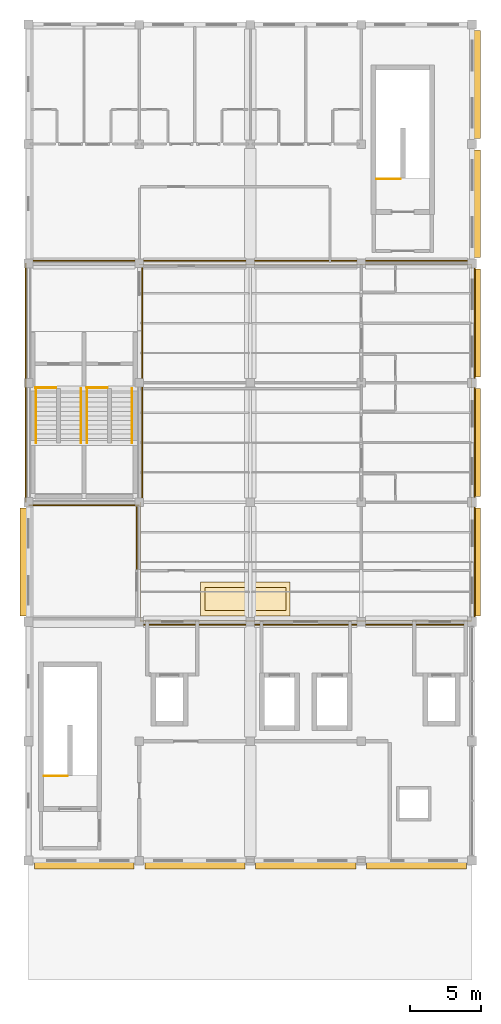
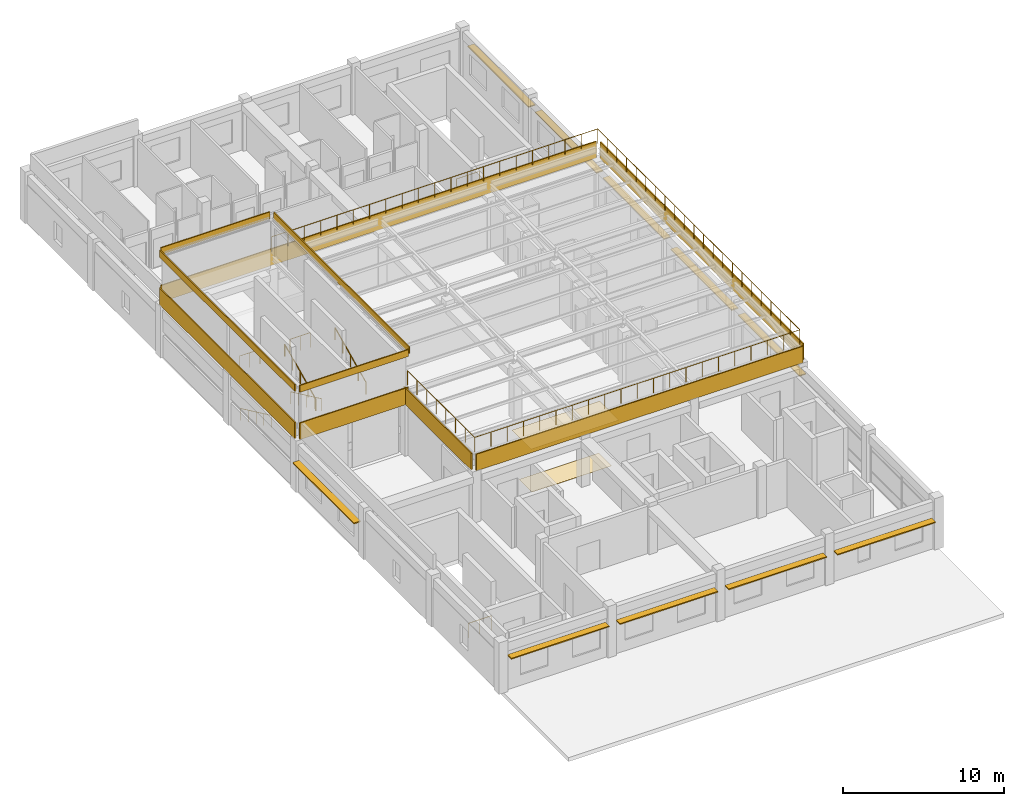
# One storey, part 20 of 20: 20 shading devices, 9 railings, 2 coverings.
"""IFC4 building model written with IfcOpenShell, lengths in metres."""

from ifc_helpers import new_model, si_unit, direction, frame, origin, origin_2d, place, context, subcontext, project, spatial, polyline, rectangle, circle, outline, extrude, material, layer, layer_set, type_object, element, save


model = new_model("IFC4")

# Units and contexts
model_context = context("Model", 3, precision=1e-05, world=origin(), true_north=direction((0.0, 1.0)))
body_context = subcontext(model_context, "Body", "Model", "MODEL_VIEW")
ifc_project = project(units=[si_unit("LENGTHUNIT", "METRE"), si_unit("AREAUNIT", "SQUARE_METRE"), si_unit("VOLUMEUNIT", "CUBIC_METRE"), si_unit("PLANEANGLEUNIT", "RADIAN"), si_unit("MASSUNIT", "GRAM", prefix="KILO"), si_unit("THERMODYNAMICTEMPERATUREUNIT", "KELVIN"), si_unit("POWERUNIT", "WATT")], contexts=[model_context])

# Site, building, storey
site_placement = place(None, origin())
site = spatial("IfcSite", under=ifc_project, at=site_placement, CompositionType="ELEMENT")
building_placement = place(site_placement, origin())
building = spatial("IfcBuilding", under=site, at=building_placement, Name="Srebrne Nadtorze General Hospital", CompositionType="ELEMENT")
storey_placement = place(building_placement, frame((0.0, 0.0, 33.89990234375)))
storey = spatial("IfcBuildingStorey", under=building, at=storey_placement, Name="L08", CompositionType="ELEMENT", Elevation=33.89990234375)

# Covering
ifc_material_1 = material(Name="Medical Vinyl Flooring")
ifc_layer_1 = layer(ifc_material_1, 0.006103515625)
ifc_layer_set_1 = layer_set([ifc_layer_1], Name="Medical Vinyl Flooring")
covering_type_1 = type_object("IfcCoveringType", Name="Antistatic medical vinyl flooring", PredefinedType="FLOORING", material=ifc_layer_set_1)
covering_1_placement = place(storey_placement, origin())
element("IfcCovering", 1, at=covering_1_placement, inside=storey, type_object=covering_type_1, Name="Medical vinyl flooring L08", PredefinedType="FLOORING", context=body_context, shape_type="SweptSolid", body=[
    extrude(outline(polyline([(35.800048828125, 51.199951171875), (41.5, 51.199951171875), (41.5, 52.800048828125), (35.800048828125, 52.800048828125), (35.800048828125, 51.199951171875)])), origin(), (0.0, 0.0, 1.0), 0.006103515625),
])

# Shading devices
ifc_material_2 = material(Name="Anodised Aluminium", Category="aluminium")
ifc_layer_2 = layer(ifc_material_2, 0.080078125)
ifc_layer_set_2 = layer_set([ifc_layer_2], Name="Anodised Aluminium")
shading_device_type = type_object("IfcShadingDeviceType", Name="Hisashi horizontal aluminium sunshade", PredefinedType="JALOUSIE", material=ifc_layer_set_2)
shading_device_1_placement = place(storey_placement, frame((27.3125, 33.239990234375, 2.570068359375), z_axis=(0.0, 0.0, 1.0), x_axis=(1.0, 0.0, 0.0)))
element("IfcShadingDevice", 2, at=shading_device_1_placement, inside=storey, type_object=shading_device_type, Name="Hisashi horizontal sunshade eave LV-425", PredefinedType="JALOUSIE", context=body_context, shape_type="SweptSolid", body=[
    extrude(rectangle(XDim=7.014892578125, YDim=0.47998046875, at=origin_2d()), origin(), (0.0, 0.0, 1.0), 0.080078125),
])
for number, where, z_axis, x_axis, name in (
    (3, (35.10009765625, 33.239990234375, 2.469970703125), (0.0, 0.0, 1.0), (1.0, 0.0, 0.0), "Hisashi horizontal sunshade eave LV-426"),
    (4, (42.89990234375, 33.239990234375, 2.3701171875), (0.0, 0.0, 1.0), (1.0, 0.0, 0.0), "Hisashi horizontal sunshade eave LV-427"),
):
    element("IfcShadingDevice", number, at=place(storey_placement, frame(where, z_axis=z_axis, x_axis=x_axis)), inside=storey, type_object=shading_device_type, Name=name, PredefinedType="JALOUSIE", context=body_context, shape_type="SweptSolid", body=[
        extrude(rectangle(XDim=7.0400390625, YDim=0.47998046875, at=origin_2d()), origin(), (0.0, 0.0, 1.0), 0.080078125),
    ])
shading_device_2_placement = place(storey_placement, frame((50.6875, 33.239990234375, 2.27001953125), z_axis=(0.0, 0.0, 1.0), x_axis=(1.0, 0.0, 0.0)))
element("IfcShadingDevice", 5, at=shading_device_2_placement, inside=storey, type_object=shading_device_type, Name="Hisashi horizontal sunshade eave LV-428", PredefinedType="JALOUSIE", context=body_context, shape_type="SweptSolid", body=[
    extrude(rectangle(XDim=7.014892578125, YDim=0.47998046875, at=origin_2d()), origin(), (0.0, 0.0, 1.0), 0.080078125),
])
for number, where, z_axis, x_axis, name in (
    (6, (23.0400390625, 54.60009765625, 2.3701171875), (0.0, 0.0, 1.0), (1.0, 0.0, 0.0), "Hisashi horizontal sunshade eave LV-429"),
    (7, (54.9599609375, 54.60009765625, 2.3701171875), (0.0, 0.0, 1.0), (1.0, 0.0, 0.0), "Hisashi horizontal sunshade eave LV-430"),
    (8, (54.9599609375, 63.0, 2.27001953125), (0.0, 0.0, 1.0), (1.0, 0.0, 0.0), "Hisashi horizontal sunshade eave LV-431"),
    (9, (54.9599609375, 71.39990234375, 2.570068359375), (0.0, 0.0, 1.0), (1.0, 0.0, 0.0), "Hisashi horizontal sunshade eave LV-432"),
    (10, (54.9599609375, 79.800048828125, 2.469970703125), (0.0, 0.0, 1.0), (1.0, 0.0, 0.0), "Hisashi horizontal sunshade eave LV-433"),
    (11, (54.9599609375, 88.199951171875, 2.3701171875), (0.0, 0.0, 1.0), (1.0, 0.0, 0.0), "Hisashi horizontal sunshade eave LV-434"),
):
    element("IfcShadingDevice", number, at=place(storey_placement, frame(where, z_axis=z_axis, x_axis=x_axis)), inside=storey, type_object=shading_device_type, Name=name, PredefinedType="JALOUSIE", context=body_context, shape_type="SweptSolid", body=[
        extrude(rectangle(XDim=0.47998046875, YDim=7.590087890625, at=origin_2d()), origin(), (0.0, 0.0, 1.0), 0.080078125),
    ])
shading_device_3_placement = place(storey_placement, frame((42.89990234375, 50.199951171875, 3.85009765625), z_axis=(0.0, 0.0, 1.0), x_axis=(1.0, 0.0, 0.0)))
element("IfcShadingDevice", 12, at=shading_device_3_placement, inside=storey, type_object=shading_device_type, Name="Helipad skirt acoustic louvre HS", PredefinedType="JALOUSIE", context=body_context, shape_type="SweptSolid", body=[
    extrude(rectangle(XDim=23.39990234375, YDim=0.080078125, at=origin_2d()), origin(), (0.0, 0.0, 1.0), 1.260009765625),
])
shading_device_4_placement = place(storey_placement, frame((39.0, 75.800048828125, 3.85009765625), z_axis=(0.0, 0.0, 1.0), x_axis=(1.0, 0.0, 0.0)))
element("IfcShadingDevice", 13, at=shading_device_4_placement, inside=storey, type_object=shading_device_type, Name="Helipad skirt acoustic louvre HN", PredefinedType="JALOUSIE", context=body_context, shape_type="SweptSolid", body=[
    extrude(rectangle(XDim=31.199951171875, YDim=0.080078125, at=origin_2d()), origin(), (0.0, 0.0, 1.0), 1.260009765625),
])
shading_device_5_placement = place(storey_placement, frame((54.7900390625, 63.0, 3.85009765625), z_axis=(0.0, 0.0, 1.0), x_axis=(1.0, 0.0, 0.0)))
element("IfcShadingDevice", 14, at=shading_device_5_placement, inside=storey, type_object=shading_device_type, Name="Helipad skirt acoustic louvre HE", PredefinedType="JALOUSIE", context=body_context, shape_type="SweptSolid", body=[
    extrude(rectangle(XDim=0.080078125, YDim=25.199951171875, at=origin_2d()), origin(), (0.0, 0.0, 1.0), 1.260009765625),
])
shading_device_6_placement = place(storey_placement, frame((23.2099609375, 67.199951171875, 3.85009765625), z_axis=(0.0, 0.0, 1.0), x_axis=(1.0, 0.0, 0.0)))
element("IfcShadingDevice", 15, at=shading_device_6_placement, inside=storey, type_object=shading_device_type, Name="Helipad skirt acoustic louvre HW", PredefinedType="JALOUSIE", context=body_context, shape_type="SweptSolid", body=[
    extrude(rectangle(XDim=0.080078125, YDim=16.800048828125, at=origin_2d()), origin(), (0.0, 0.0, 1.0), 1.260009765625),
])
shading_device_7_placement = place(storey_placement, frame((31.010009765625, 54.60009765625, 3.85009765625), z_axis=(0.0, 0.0, 1.0), x_axis=(1.0, 0.0, 0.0)))
element("IfcShadingDevice", 16, at=shading_device_7_placement, inside=storey, type_object=shading_device_type, Name="Helipad skirt acoustic louvre HWS", PredefinedType="JALOUSIE", context=body_context, shape_type="SweptSolid", body=[
    extrude(rectangle(XDim=0.080078125, YDim=8.39990234375, at=origin_2d()), origin(), (0.0, 0.0, 1.0), 1.260009765625),
])
shading_device_8_placement = place(storey_placement, frame((27.300048828125, 58.60009765625, 3.85009765625), z_axis=(0.0, 0.0, 1.0), x_axis=(1.0, 0.0, 0.0)))
element("IfcShadingDevice", 17, at=shading_device_8_placement, inside=storey, type_object=shading_device_type, Name="Helipad skirt acoustic louvre HVS", PredefinedType="JALOUSIE", context=body_context, shape_type="SweptSolid", body=[
    extrude(rectangle(XDim=7.800048828125, YDim=0.080078125, at=origin_2d()), origin(), (0.0, 0.0, 1.0), 1.260009765625),
])
for number, where, z_axis, x_axis, name in (
    (18, (27.300048828125, 58.60009765625, 7.440185546875), (0.0, 0.0, 1.0), (1.0, 0.0, 0.0), "Vestibule fascia louvre VTS"),
    (19, (27.300048828125, 75.800048828125, 7.440185546875), (0.0, 0.0, 1.0), (1.0, 0.0, 0.0), "Vestibule fascia louvre VTN"),
):
    element("IfcShadingDevice", number, at=place(storey_placement, frame(where, z_axis=z_axis, x_axis=x_axis)), inside=storey, type_object=shading_device_type, Name=name, PredefinedType="JALOUSIE", context=body_context, shape_type="SweptSolid", body=[
        extrude(rectangle(XDim=7.800048828125, YDim=0.080078125, at=origin_2d()), origin(), (0.0, 0.0, 1.0), 0.52001953125),
    ])
for number, where, z_axis, x_axis, name in (
    (20, (23.2099609375, 67.199951171875, 7.440185546875), (0.0, 0.0, 1.0), (1.0, 0.0, 0.0), "Vestibule fascia louvre VTW"),
    (21, (31.389892578125, 67.199951171875, 7.440185546875), (0.0, 0.0, 1.0), (1.0, 0.0, 0.0), "Vestibule fascia louvre VTE"),
):
    element("IfcShadingDevice", number, at=place(storey_placement, frame(where, z_axis=z_axis, x_axis=x_axis)), inside=storey, type_object=shading_device_type, Name=name, PredefinedType="JALOUSIE", context=body_context, shape_type="SweptSolid", body=[
        extrude(rectangle(XDim=0.080078125, YDim=16.800048828125, at=origin_2d()), origin(), (0.0, 0.0, 1.0), 0.52001953125),
    ])

# Covering
ifc_material_3 = material(Name="Acoustic Mineral Ceiling")
ifc_layer_3 = layer(ifc_material_3, 0.014892578125)
ifc_layer_set_3 = layer_set([ifc_layer_3], Name="Acoustic Mineral Ceiling")
covering_type_2 = type_object("IfcCoveringType", Name="Hygienic acoustic ceiling tile", PredefinedType="CEILING", material=ifc_layer_set_3)
covering_2_placement = place(storey_placement, frame((0.0, 0.0, 3.585205078125)))
element("IfcCovering", 22, at=covering_2_placement, inside=storey, type_object=covering_type_2, Name="Acoustic ceiling L08", PredefinedType="CEILING", context=body_context, shape_type="SweptSolid", body=[
    extrude(outline(polyline([(35.5, 50.800048828125), (41.800048828125, 50.800048828125), (41.800048828125, 53.199951171875), (35.5, 53.199951171875), (35.5, 50.800048828125)])), origin(), (0.0, 0.0, 1.0), 0.014892578125),
])

# Railings
ifc_material_4 = material(Name="Stainless Steel 316", Category="steel")
railing_type_1 = type_object("IfcRailingType", Name="Perimeter safety guard 1120", PredefinedType="BALUSTRADE", material=ifc_material_4)
railing_1_placement = place(storey_placement, frame((31.25, 58.800048828125, 5.10009765625)))
element("IfcRailing", 23, at=railing_1_placement, inside=storey, type_object=railing_type_1, Name="Helipad perimeter guard GR-L08-007", PredefinedType="BALUSTRADE", context=body_context, shape_type="SweptSolid", body=[
    extrude(circle(Radius=0.02392578125, at=origin_2d()), frame((0.0, 0.0, 1.09619140625), z_axis=(0.0, -1.0, 0.0), x_axis=(1.0, 0.0, 0.0)), (0.0, 0.0, 1.0), 8.35009765625),
    extrude(circle(Radius=0.02392578125, at=origin_2d()), frame((0.0, -8.35009765625, 1.09619140625), z_axis=(1.0, 0.0, 0.0), x_axis=(0.0, 1.0, 0.0)), (0.0, 0.0, 1.0), 23.300048828125),
    extrude(circle(Radius=0.02392578125, at=origin_2d()), frame((23.300048828125, -8.35009765625, 1.09619140625), z_axis=(0.0, 1.0, 0.0), x_axis=(-1.0, 0.0, 0.0)), (0.0, 0.0, 1.0), 25.10009765625),
    extrude(circle(Radius=0.02392578125, at=origin_2d()), frame((23.300048828125, 16.75, 1.09619140625), z_axis=(-1.0, 0.0, 0.0), x_axis=(0.0, -1.0, 0.0)), (0.0, 0.0, 1.0), 23.35009765625),
    extrude(circle(Radius=0.02099609375, at=origin_2d()), origin(), (0.0, 0.0, 1.0), 1.072021484375),
    extrude(circle(Radius=0.02099609375, at=origin_2d()), frame((0.0, -1.19287109375, 0.0)), (0.0, 0.0, 1.0), 1.072021484375),
    extrude(circle(Radius=0.02099609375, at=origin_2d()), frame((0.0, -2.3857421875, 0.0)), (0.0, 0.0, 1.0), 1.072021484375),
    extrude(circle(Radius=0.02099609375, at=origin_2d()), frame((0.0, -3.57861328125, 0.0)), (0.0, 0.0, 1.0), 1.072021484375),
    extrude(circle(Radius=0.02099609375, at=origin_2d()), frame((0.0, -4.771484375, 0.0)), (0.0, 0.0, 1.0), 1.072021484375),
    extrude(circle(Radius=0.02099609375, at=origin_2d()), frame((0.0, -5.96435546875, 0.0)), (0.0, 0.0, 1.0), 1.072021484375),
    extrude(circle(Radius=0.02099609375, at=origin_2d()), frame((0.0, -7.1572265625, 0.0)), (0.0, 0.0, 1.0), 1.072021484375),
    extrude(circle(Radius=0.02099609375, at=origin_2d()), frame((0.0, -8.35009765625, 0.0)), (0.0, 0.0, 1.0), 1.072021484375),
    extrude(circle(Radius=0.02099609375, at=origin_2d()), frame((1.1650390625, -8.35009765625, 0.0)), (0.0, 0.0, 1.0), 1.072021484375),
    extrude(circle(Radius=0.02099609375, at=origin_2d()), frame((2.330078125, -8.35009765625, 0.0)), (0.0, 0.0, 1.0), 1.072021484375),
    extrude(circle(Radius=0.02099609375, at=origin_2d()), frame((3.4951171875, -8.35009765625, 0.0)), (0.0, 0.0, 1.0), 1.072021484375),
    extrude(circle(Radius=0.02099609375, at=origin_2d()), frame((4.659912109375, -8.35009765625, 0.0)), (0.0, 0.0, 1.0), 1.072021484375),
    extrude(circle(Radius=0.02099609375, at=origin_2d()), frame((5.824951171875, -8.35009765625, 0.0)), (0.0, 0.0, 1.0), 1.072021484375),
    extrude(circle(Radius=0.02099609375, at=origin_2d()), frame((6.989990234375, -8.35009765625, 0.0)), (0.0, 0.0, 1.0), 1.072021484375),
    extrude(circle(Radius=0.02099609375, at=origin_2d()), frame((8.155029296875, -8.35009765625, 0.0)), (0.0, 0.0, 1.0), 1.072021484375),
    extrude(circle(Radius=0.02099609375, at=origin_2d()), frame((9.320068359375, -8.35009765625, 0.0)), (0.0, 0.0, 1.0), 1.072021484375),
    extrude(circle(Radius=0.02099609375, at=origin_2d()), frame((10.485107421875, -8.35009765625, 0.0)), (0.0, 0.0, 1.0), 1.072021484375),
    extrude(circle(Radius=0.02099609375, at=origin_2d()), frame((11.64990234375, -8.35009765625, 0.0)), (0.0, 0.0, 1.0), 1.072021484375),
    extrude(circle(Radius=0.02099609375, at=origin_2d()), frame((12.81494140625, -8.35009765625, 0.0)), (0.0, 0.0, 1.0), 1.072021484375),
    extrude(circle(Radius=0.02099609375, at=origin_2d()), frame((13.97998046875, -8.35009765625, 0.0)), (0.0, 0.0, 1.0), 1.072021484375),
    extrude(circle(Radius=0.02099609375, at=origin_2d()), frame((15.14501953125, -8.35009765625, 0.0)), (0.0, 0.0, 1.0), 1.072021484375),
    extrude(circle(Radius=0.02099609375, at=origin_2d()), frame((16.31005859375, -8.35009765625, 0.0)), (0.0, 0.0, 1.0), 1.072021484375),
    extrude(circle(Radius=0.02099609375, at=origin_2d()), frame((17.47509765625, -8.35009765625, 0.0)), (0.0, 0.0, 1.0), 1.072021484375),
    extrude(circle(Radius=0.02099609375, at=origin_2d()), frame((18.64013671875, -8.35009765625, 0.0)), (0.0, 0.0, 1.0), 1.072021484375),
    extrude(circle(Radius=0.02099609375, at=origin_2d()), frame((19.804931640625, -8.35009765625, 0.0)), (0.0, 0.0, 1.0), 1.072021484375),
    extrude(circle(Radius=0.02099609375, at=origin_2d()), frame((20.969970703125, -8.35009765625, 0.0)), (0.0, 0.0, 1.0), 1.072021484375),
    extrude(circle(Radius=0.02099609375, at=origin_2d()), frame((22.135009765625, -8.35009765625, 0.0)), (0.0, 0.0, 1.0), 1.072021484375),
    extrude(circle(Radius=0.02099609375, at=origin_2d()), frame((23.300048828125, -8.35009765625, 0.0)), (0.0, 0.0, 1.0), 1.072021484375),
    extrude(circle(Radius=0.02099609375, at=origin_2d()), frame((23.300048828125, -7.15478515625, 0.0)), (0.0, 0.0, 1.0), 1.072021484375),
    extrude(circle(Radius=0.02099609375, at=origin_2d()), frame((23.300048828125, -5.959716796875, 0.0)), (0.0, 0.0, 1.0), 1.072021484375),
    extrude(circle(Radius=0.02099609375, at=origin_2d()), frame((23.300048828125, -4.764404296875, 0.0)), (0.0, 0.0, 1.0), 1.072021484375),
    extrude(circle(Radius=0.02099609375, at=origin_2d()), frame((23.300048828125, -3.569091796875, 0.0)), (0.0, 0.0, 1.0), 1.072021484375),
    extrude(circle(Radius=0.02099609375, at=origin_2d()), frame((23.300048828125, -2.373779296875, 0.0)), (0.0, 0.0, 1.0), 1.072021484375),
    extrude(circle(Radius=0.02099609375, at=origin_2d()), frame((23.300048828125, -1.1787109375, 0.0)), (0.0, 0.0, 1.0), 1.072021484375),
    extrude(circle(Radius=0.02099609375, at=origin_2d()), frame((23.300048828125, 0.0166015625, 0.0)), (0.0, 0.0, 1.0), 1.072021484375),
    extrude(circle(Radius=0.02099609375, at=origin_2d()), frame((23.300048828125, 1.2119140625, 0.0)), (0.0, 0.0, 1.0), 1.072021484375),
    extrude(circle(Radius=0.02099609375, at=origin_2d()), frame((23.300048828125, 2.406982421875, 0.0)), (0.0, 0.0, 1.0), 1.072021484375),
    extrude(circle(Radius=0.02099609375, at=origin_2d()), frame((23.300048828125, 3.602294921875, 0.0)), (0.0, 0.0, 1.0), 1.072021484375),
    extrude(circle(Radius=0.02099609375, at=origin_2d()), frame((23.300048828125, 4.797607421875, 0.0)), (0.0, 0.0, 1.0), 1.072021484375),
    extrude(circle(Radius=0.02099609375, at=origin_2d()), frame((23.300048828125, 5.992919921875, 0.0)), (0.0, 0.0, 1.0), 1.072021484375),
    extrude(circle(Radius=0.02099609375, at=origin_2d()), frame((23.300048828125, 7.18798828125, 0.0)), (0.0, 0.0, 1.0), 1.072021484375),
    extrude(circle(Radius=0.02099609375, at=origin_2d()), frame((23.300048828125, 8.38330078125, 0.0)), (0.0, 0.0, 1.0), 1.072021484375),
    extrude(circle(Radius=0.02099609375, at=origin_2d()), frame((23.300048828125, 9.57861328125, 0.0)), (0.0, 0.0, 1.0), 1.072021484375),
    extrude(circle(Radius=0.02099609375, at=origin_2d()), frame((23.300048828125, 10.773681640625, 0.0)), (0.0, 0.0, 1.0), 1.072021484375),
    extrude(circle(Radius=0.02099609375, at=origin_2d()), frame((23.300048828125, 11.968994140625, 0.0)), (0.0, 0.0, 1.0), 1.072021484375),
    extrude(circle(Radius=0.02099609375, at=origin_2d()), frame((23.300048828125, 13.164306640625, 0.0)), (0.0, 0.0, 1.0), 1.072021484375),
    extrude(circle(Radius=0.02099609375, at=origin_2d()), frame((23.300048828125, 14.359619140625, 0.0)), (0.0, 0.0, 1.0), 1.072021484375),
    extrude(circle(Radius=0.02099609375, at=origin_2d()), frame((23.300048828125, 15.5546875, 0.0)), (0.0, 0.0, 1.0), 1.072021484375),
    extrude(circle(Radius=0.02099609375, at=origin_2d()), frame((23.300048828125, 16.75, 0.0)), (0.0, 0.0, 1.0), 1.072021484375),
    extrude(circle(Radius=0.02099609375, at=origin_2d()), frame((22.132568359375, 16.75, 0.0)), (0.0, 0.0, 1.0), 1.072021484375),
    extrude(circle(Radius=0.02099609375, at=origin_2d()), frame((20.965087890625, 16.75, 0.0)), (0.0, 0.0, 1.0), 1.072021484375),
    extrude(circle(Radius=0.02099609375, at=origin_2d()), frame((19.797607421875, 16.75, 0.0)), (0.0, 0.0, 1.0), 1.072021484375),
    extrude(circle(Radius=0.02099609375, at=origin_2d()), frame((18.630126953125, 16.75, 0.0)), (0.0, 0.0, 1.0), 1.072021484375),
    extrude(circle(Radius=0.02099609375, at=origin_2d()), frame((17.46240234375, 16.75, 0.0)), (0.0, 0.0, 1.0), 1.072021484375),
    extrude(circle(Radius=0.02099609375, at=origin_2d()), frame((16.294921875, 16.75, 0.0)), (0.0, 0.0, 1.0), 1.072021484375),
    extrude(circle(Radius=0.02099609375, at=origin_2d()), frame((15.12744140625, 16.75, 0.0)), (0.0, 0.0, 1.0), 1.072021484375),
    extrude(circle(Radius=0.02099609375, at=origin_2d()), frame((13.9599609375, 16.75, 0.0)), (0.0, 0.0, 1.0), 1.072021484375),
    extrude(circle(Radius=0.02099609375, at=origin_2d()), frame((12.79248046875, 16.75, 0.0)), (0.0, 0.0, 1.0), 1.072021484375),
    extrude(circle(Radius=0.02099609375, at=origin_2d()), frame((11.625, 16.75, 0.0)), (0.0, 0.0, 1.0), 1.072021484375),
    extrude(circle(Radius=0.02099609375, at=origin_2d()), frame((10.45751953125, 16.75, 0.0)), (0.0, 0.0, 1.0), 1.072021484375),
    extrude(circle(Radius=0.02099609375, at=origin_2d()), frame((9.2900390625, 16.75, 0.0)), (0.0, 0.0, 1.0), 1.072021484375),
    extrude(circle(Radius=0.02099609375, at=origin_2d()), frame((8.12255859375, 16.75, 0.0)), (0.0, 0.0, 1.0), 1.072021484375),
    extrude(circle(Radius=0.02099609375, at=origin_2d()), frame((6.955078125, 16.75, 0.0)), (0.0, 0.0, 1.0), 1.072021484375),
    extrude(circle(Radius=0.02099609375, at=origin_2d()), frame((5.78759765625, 16.75, 0.0)), (0.0, 0.0, 1.0), 1.072021484375),
    extrude(circle(Radius=0.02099609375, at=origin_2d()), frame((4.619873046875, 16.75, 0.0)), (0.0, 0.0, 1.0), 1.072021484375),
    extrude(circle(Radius=0.02099609375, at=origin_2d()), frame((3.452392578125, 16.75, 0.0)), (0.0, 0.0, 1.0), 1.072021484375),
    extrude(circle(Radius=0.02099609375, at=origin_2d()), frame((2.284912109375, 16.75, 0.0)), (0.0, 0.0, 1.0), 1.072021484375),
    extrude(circle(Radius=0.02099609375, at=origin_2d()), frame((1.117431640625, 16.75, 0.0)), (0.0, 0.0, 1.0), 1.072021484375),
    extrude(circle(Radius=0.02099609375, at=origin_2d()), frame((-0.050048828125, 16.75, 0.0)), (0.0, 0.0, 1.0), 1.072021484375),
])
ifc_material_5 = material(Name="Stainless Steel 316", Category="steel")
railing_type_2 = type_object("IfcRailingType", Name="Stairwell safety guard 1120", PredefinedType="BALUSTRADE", material=ifc_material_5)
for number, where, name in (
    (24, (24.489990234375, 39.5400390625, 0.0), "Top stairwell guard ST-01"),
    (25, (47.889892578125, 81.5400390625, 0.0), "Top stairwell guard ST-02"),
):
    element("IfcRailing", number, at=place(storey_placement, frame(where)), inside=storey, type_object=railing_type_2, Name=name, PredefinedType="BALUSTRADE", context=body_context, shape_type="SweptSolid", body=[
        extrude(circle(Radius=0.02392578125, at=origin_2d()), frame((0.0, 0.0, 1.09619140625), z_axis=(1.0, 0.0, 0.0), x_axis=(0.0, 1.0, 0.0)), (0.0, 0.0, 1.0), 1.655029296875),
        extrude(circle(Radius=0.02099609375, at=origin_2d()), origin(), (0.0, 0.0, 1.0), 1.072021484375),
        extrude(circle(Radius=0.02099609375, at=origin_2d()), frame((0.82763671875, 0.0, 0.0)), (0.0, 0.0, 1.0), 1.072021484375),
        extrude(circle(Radius=0.02099609375, at=origin_2d()), frame((1.655029296875, 0.0, 0.0)), (0.0, 0.0, 1.0), 1.072021484375),
    ])
railing_2_placement = place(storey_placement, frame((23.889892578125, 66.860107421875, 3.900146484375)))
element("IfcRailing", 26, at=railing_2_placement, inside=storey, type_object=railing_type_2, Name="Helipad stair top guard ST-09", PredefinedType="BALUSTRADE", context=body_context, shape_type="SweptSolid", body=[
    extrude(circle(Radius=0.02392578125, at=origin_2d()), frame((0.0, 0.0, 1.09619140625), z_axis=(1.0, 0.0, 0.0), x_axis=(0.0, 1.0, 0.0)), (0.0, 0.0, 1.0), 1.4501953125),
    extrude(circle(Radius=0.02099609375, at=origin_2d()), origin(), (0.0, 0.0, 1.0), 1.072021484375),
    extrude(circle(Radius=0.02099609375, at=origin_2d()), frame((0.72509765625, 0.0, 0.0)), (0.0, 0.0, 1.0), 1.072021484375),
    extrude(circle(Radius=0.02099609375, at=origin_2d()), frame((1.4501953125, 0.0, 0.0)), (0.0, 0.0, 1.0), 1.072021484375),
])
railing_3_placement = place(storey_placement, frame((27.489990234375, 66.860107421875, 3.900146484375)))
element("IfcRailing", 27, at=railing_3_placement, inside=storey, type_object=railing_type_2, Name="Helipad stair top guard ST-10", PredefinedType="BALUSTRADE", context=body_context, shape_type="SweptSolid", body=[
    extrude(circle(Radius=0.02392578125, at=origin_2d()), frame((0.0, 0.0, 1.09619140625), z_axis=(1.0, 0.0, 0.0), x_axis=(0.0, 1.0, 0.0)), (0.0, 0.0, 1.0), 1.449951171875),
    extrude(circle(Radius=0.02099609375, at=origin_2d()), origin(), (0.0, 0.0, 1.0), 1.072021484375),
    extrude(circle(Radius=0.02099609375, at=origin_2d()), frame((0.72509765625, 0.0, 0.0)), (0.0, 0.0, 1.0), 1.072021484375),
    extrude(circle(Radius=0.02099609375, at=origin_2d()), frame((1.449951171875, 0.0, 0.0)), (0.0, 0.0, 1.0), 1.072021484375),
])
ifc_material_6 = material(Name="Stainless Steel 316", Category="steel")
railing_type_3 = type_object("IfcRailingType", Name="Tubular stainless handrail 920", PredefinedType="HANDRAIL", material=ifc_material_6)
railing_4_placement = place(storey_placement, frame((23.919921875, 66.800048828125, 0.150146484375)))
element("IfcRailing", 28, at=railing_4_placement, inside=storey, type_object=railing_type_3, Name="Helipad flight handrail ST-09 F1", PredefinedType="HANDRAIL", context=body_context, shape_type="SweptSolid", body=[
    extrude(circle(Radius=0.02392578125, at=origin_2d()), frame((0.0, 0.0, 0.89599609375), z_axis=(0.0, -0.905458244611, 0.424435351104), x_axis=(1.0, 0.0, 0.0)), (0.0, 0.0, 1.0), 4.240966796875),
    extrude(circle(Radius=0.02099609375, at=origin_2d()), origin(), (0.0, 0.0, 1.0), 0.871826171875),
    extrude(circle(Radius=0.02099609375, at=origin_2d()), frame((0.0, -0.9599609375, 0.449951171875)), (0.0, 0.0, 1.0), 0.871826171875),
    extrude(circle(Radius=0.02099609375, at=origin_2d()), frame((0.0, -1.919921875, 0.89990234375)), (0.0, 0.0, 1.0), 0.871826171875),
    extrude(circle(Radius=0.02099609375, at=origin_2d()), frame((0.0, -2.880126953125, 1.35009765625)), (0.0, 0.0, 1.0), 0.871826171875),
    extrude(circle(Radius=0.02099609375, at=origin_2d()), frame((0.0, -3.840087890625, 1.800048828125)), (0.0, 0.0, 1.0), 0.871826171875),
])
railing_5_placement = place(storey_placement, frame((27.080078125, 62.9599609375, 2.10009765625)))
element("IfcRailing", 29, at=railing_5_placement, inside=storey, type_object=railing_type_3, Name="Helipad flight handrail ST-09 F2", PredefinedType="HANDRAIL", context=body_context, shape_type="SweptSolid", body=[
    extrude(circle(Radius=0.02392578125, at=origin_2d()), frame((0.0, 0.0, 0.89599609375), z_axis=(0.0, 0.905458244611, 0.424435351104), x_axis=(-1.0, 0.0, 0.0)), (0.0, 0.0, 1.0), 4.240966796875),
    extrude(circle(Radius=0.02099609375, at=origin_2d()), origin(), (0.0, 0.0, 1.0), 0.871826171875),
    extrude(circle(Radius=0.02099609375, at=origin_2d()), frame((0.0, 0.9599609375, 0.449951171875)), (0.0, 0.0, 1.0), 0.871826171875),
    extrude(circle(Radius=0.02099609375, at=origin_2d()), frame((0.0, 1.919921875, 0.89990234375)), (0.0, 0.0, 1.0), 0.871826171875),
    extrude(circle(Radius=0.02099609375, at=origin_2d()), frame((0.0, 2.880126953125, 1.35009765625)), (0.0, 0.0, 1.0), 0.871826171875),
    extrude(circle(Radius=0.02099609375, at=origin_2d()), frame((0.0, 3.840087890625, 1.800048828125)), (0.0, 0.0, 1.0), 0.871826171875),
])
railing_6_placement = place(storey_placement, frame((27.52001953125, 66.800048828125, 0.150146484375)))
element("IfcRailing", 30, at=railing_6_placement, inside=storey, type_object=railing_type_3, Name="Helipad flight handrail ST-10 F1", PredefinedType="HANDRAIL", context=body_context, shape_type="SweptSolid", body=[
    extrude(circle(Radius=0.02392578125, at=origin_2d()), frame((0.0, 0.0, 0.89599609375), z_axis=(0.0, -0.905458244611, 0.424435351104), x_axis=(1.0, 0.0, 0.0)), (0.0, 0.0, 1.0), 4.240966796875),
    extrude(circle(Radius=0.02099609375, at=origin_2d()), origin(), (0.0, 0.0, 1.0), 0.871826171875),
    extrude(circle(Radius=0.02099609375, at=origin_2d()), frame((0.0, -0.9599609375, 0.449951171875)), (0.0, 0.0, 1.0), 0.871826171875),
    extrude(circle(Radius=0.02099609375, at=origin_2d()), frame((0.0, -1.919921875, 0.89990234375)), (0.0, 0.0, 1.0), 0.871826171875),
    extrude(circle(Radius=0.02099609375, at=origin_2d()), frame((0.0, -2.880126953125, 1.35009765625)), (0.0, 0.0, 1.0), 0.871826171875),
    extrude(circle(Radius=0.02099609375, at=origin_2d()), frame((0.0, -3.840087890625, 1.800048828125)), (0.0, 0.0, 1.0), 0.871826171875),
])
railing_7_placement = place(storey_placement, frame((30.679931640625, 62.9599609375, 2.10009765625)))
element("IfcRailing", 31, at=railing_7_placement, inside=storey, type_object=railing_type_3, Name="Helipad flight handrail ST-10 F2", PredefinedType="HANDRAIL", context=body_context, shape_type="SweptSolid", body=[
    extrude(circle(Radius=0.02392578125, at=origin_2d()), frame((0.0, 0.0, 0.89599609375), z_axis=(0.0, 0.905458244611, 0.424435351104), x_axis=(-1.0, 0.0, 0.0)), (0.0, 0.0, 1.0), 4.240966796875),
    extrude(circle(Radius=0.02099609375, at=origin_2d()), origin(), (0.0, 0.0, 1.0), 0.871826171875),
    extrude(circle(Radius=0.02099609375, at=origin_2d()), frame((0.0, 0.9599609375, 0.449951171875)), (0.0, 0.0, 1.0), 0.871826171875),
    extrude(circle(Radius=0.02099609375, at=origin_2d()), frame((0.0, 1.919921875, 0.89990234375)), (0.0, 0.0, 1.0), 0.871826171875),
    extrude(circle(Radius=0.02099609375, at=origin_2d()), frame((0.0, 2.880126953125, 1.35009765625)), (0.0, 0.0, 1.0), 0.871826171875),
    extrude(circle(Radius=0.02099609375, at=origin_2d()), frame((0.0, 3.840087890625, 1.800048828125)), (0.0, 0.0, 1.0), 0.871826171875),
])

save(model, "model.ifc")
